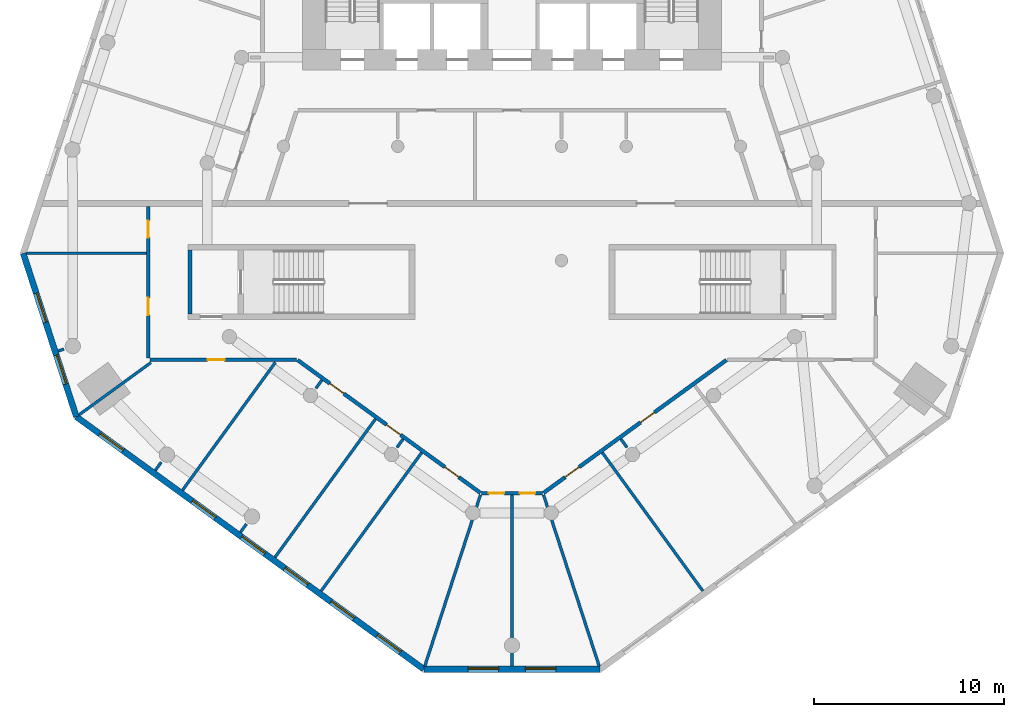
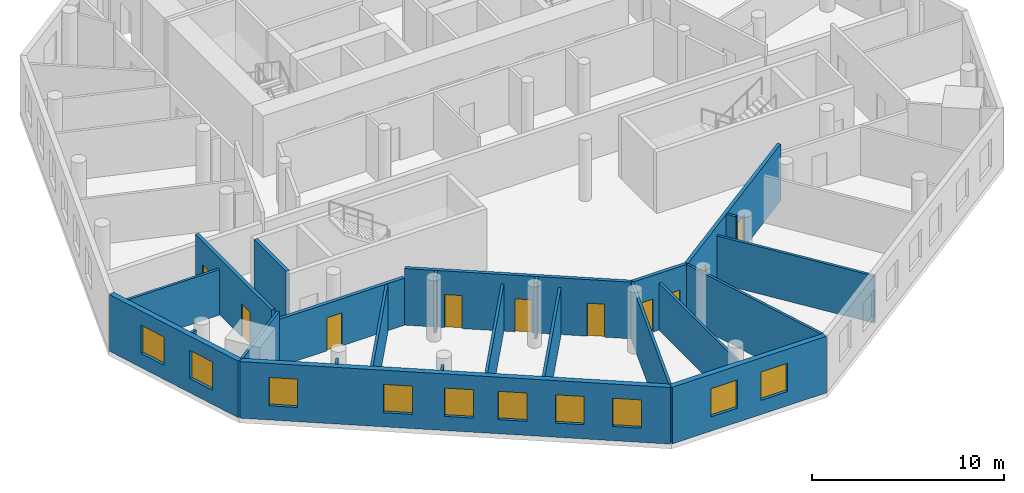
# One storey, part 2 of 9: 24 walls, 10 doors, 10 windows, 20 openings.
"""IFC4 building model written with IfcOpenShell, lengths in metres."""

from ifc_helpers import new_model, si_unit, direction, frame, frame_2d, origin, place, context, subcontext, project, spatial, rectangle, extrude, material, layer, layer_set, type_object, element, fill, save


model = new_model("IFC4")

# Units and contexts
model_context = context("Model", 3, precision=1e-05, world=origin(), true_north=direction((0.0, 1.0)))
body_context = subcontext(model_context, "Body", "Model", "MODEL_VIEW")
ifc_project = project(units=[si_unit("LENGTHUNIT", "METRE"), si_unit("AREAUNIT", "SQUARE_METRE"), si_unit("VOLUMEUNIT", "CUBIC_METRE"), si_unit("PLANEANGLEUNIT", "RADIAN"), si_unit("MASSUNIT", "GRAM", prefix="KILO")], contexts=[model_context])

# Site, building, storey
site_placement = place(None, origin())
site = spatial("IfcSite", under=ifc_project, at=site_placement, CompositionType="ELEMENT")
building_placement = place(site_placement, origin())
building = spatial("IfcBuilding", under=site, at=building_placement, Name="White Candle Pilgrim Tower", CompositionType="ELEMENT")
storey_placement = place(building_placement, frame((0.0, 0.0, 106.39990234375)))
storey = spatial("IfcBuildingStorey", under=building, at=storey_placement, Name="L23", CompositionType="ELEMENT", Elevation=106.39990234375)

# Wall
ifc_material_1 = material(Name="Concrete C60/75", Category="concrete")
ifc_layer_1 = layer(ifc_material_1, 0.199951171875)
ifc_layer_set_1 = layer_set([ifc_layer_1], Name="Core wall 200 mm Concrete C60/75")
wall_type_1 = type_object("IfcWallType", Name="Core wall 200 mm Concrete C60/75", PredefinedType="SHEAR", material=ifc_layer_set_1)
wall_1_placement = place(storey_placement, frame((53.10009765625, 58.199951171875, 0.0), z_axis=(0.0, 0.0, 1.0), x_axis=(0.0, 1.0, 0.0)))
element("IfcWall", 1, at=wall_1_placement, inside=storey, type_object=wall_type_1, Name="WL-L23-C03", PredefinedType="SHEAR", context=body_context, shape_type="SweptSolid", body=[
    extrude(rectangle(XDim=3.35009765625, YDim=0.199951171875, at=frame_2d((1.675048828125, 0.0))), origin(), (0.0, 0.0, 1.0), 3.900146484375),
])

# Wall, openings, doors
ifc_material_2 = material(Name="Gypsum board on steel studs", Category="steel")
ifc_layer_2 = layer(ifc_material_2, 0.199951171875)
ifc_layer_set_2 = layer_set([ifc_layer_2], Name="Corridor wall 200 mm EI 45")
wall_type_2 = type_object("IfcWallType", Name="Corridor wall 200 mm EI 45", PredefinedType="PARTITIONING", material=ifc_layer_set_2)
wall_2_placement = place(storey_placement, frame((81.2578125, 55.781005859375, 0.0), z_axis=(0.0, 0.0, 1.0), x_axis=(-0.809017945603, -0.587783943037, 0.0)))
wall_2 = element("IfcWall", 2, at=wall_2_placement, inside=storey, type_object=wall_type_2, Name="WL-L23-P008", PredefinedType="PARTITIONING", context=body_context, shape_type="SweptSolid", body=[
    extrude(rectangle(XDim=11.86962890625, YDim=0.199951171875, at=frame_2d((5.934814453125, 0.0))), origin(), (0.0, 0.0, 1.0), 3.60009765625),
])
opening_1_placement = place(wall_2_placement, frame((9.565185546875, 0.0, 0.0)))
opening_1 = element("IfcOpeningElement", 3, at=opening_1_placement, cuts=wall_2, Name="Opening T07-108", PredefinedType="OPENING", context=body_context, shape_type="SweptSolid", body=[
    extrude(rectangle(XDim=0.89990234375, YDim=2.10009765625, at=frame_2d((0.449951171875, 1.050048828125))), frame((0.0, 0.10986328125, 0.0), z_axis=(0.0, -1.0, 0.0), x_axis=(1.0, 0.0, 0.0)), (0.0, 0.0, 1.0), 0.219970703125),
])
opening_2_placement = place(wall_2_placement, frame((4.678466796875, 0.0, 0.0)))
opening_2 = element("IfcOpeningElement", 4, at=opening_2_placement, cuts=wall_2, Name="Opening T07-109", PredefinedType="OPENING", context=body_context, shape_type="SweptSolid", body=[
    extrude(rectangle(XDim=0.89990234375, YDim=2.10009765625, at=frame_2d((0.449951171875, 1.050048828125))), frame((0.0, 0.10986328125, 0.0), z_axis=(0.0, -1.0, 0.0), x_axis=(1.0, 0.0, 0.0)), (0.0, 0.0, 1.0), 0.219970703125),
])
ifc_material_3 = material(Name="Steel door leaf", Category="steel")
door_type_1 = type_object("IfcDoorType", Name="Fire door 900 x 2100 EI 30", OperationType="NOTDEFINED", PredefinedType="DOOR", material=ifc_material_3)
door_1_placement = place(opening_1_placement, origin())
door_1 = element("IfcDoor", 5, at=door_1_placement, inside=storey, type_object=door_type_1, Name="Door T07-108", OperationType="SINGLE_SWING_RIGHT", OverallHeight=2.10009765625, OverallWidth=0.89990234375, PredefinedType="DOOR", context=body_context, shape_type="SweptSolid", body=[
    extrude(rectangle(XDim=0.89990234375, YDim=2.10009765625, at=frame_2d((0.449951171875, 1.050048828125))), frame((0.0, 0.02490234375, 0.0), z_axis=(0.0, -1.0, 0.0), x_axis=(1.0, 0.0, 0.0)), (0.0, 0.0, 1.0), 0.050048828125),
])
fill(opening_1, door_1)
door_2_placement = place(opening_2_placement, origin())
door_2 = element("IfcDoor", 6, at=door_2_placement, inside=storey, type_object=door_type_1, Name="Door T07-109", OperationType="SINGLE_SWING_LEFT", OverallHeight=2.10009765625, OverallWidth=0.89990234375, PredefinedType="DOOR", context=body_context, shape_type="SweptSolid", body=[
    extrude(rectangle(XDim=0.89990234375, YDim=2.10009765625, at=frame_2d((0.449951171875, 1.050048828125))), frame((0.0, 0.02490234375, 0.0), z_axis=(0.0, -1.0, 0.0), x_axis=(1.0, 0.0, 0.0)), (0.0, 0.0, 1.0), 0.050048828125),
])
fill(opening_2, door_2)

wall_3_placement = place(storey_placement, frame((71.59619140625, 48.78515625, 0.0), z_axis=(0.0, 0.0, 1.0), x_axis=(-1.0, 0.0, 0.0)))
wall_3 = element("IfcWall", 7, at=wall_3_placement, inside=storey, type_object=wall_type_2, Name="WL-L23-P009", PredefinedType="PARTITIONING", context=body_context, shape_type="SweptSolid", body=[
    extrude(rectangle(XDim=3.1923828125, YDim=0.199951171875, at=frame_2d((1.59619140625, 0.0))), origin(), (0.0, 0.0, 1.0), 3.60009765625),
])
opening_3_placement = place(wall_3_placement, frame((2.0107421875, 0.0, 0.0)))
opening_3 = element("IfcOpeningElement", 8, at=opening_3_placement, cuts=wall_3, Name="Opening T07-106", PredefinedType="OPENING", context=body_context, shape_type="SweptSolid", body=[
    extrude(rectangle(XDim=0.800048828125, YDim=2.10009765625, at=frame_2d((0.39990234375, 1.050048828125))), frame((0.0, 0.10986328125, 0.0), z_axis=(0.0, -1.0, 0.0), x_axis=(1.0, 0.0, 0.0)), (0.0, 0.0, 1.0), 0.219970703125),
])
opening_4_placement = place(wall_3_placement, frame((0.3818359375, 0.0, 0.0)))
opening_4 = element("IfcOpeningElement", 9, at=opening_4_placement, cuts=wall_3, Name="Opening T07-107", PredefinedType="OPENING", context=body_context, shape_type="SweptSolid", body=[
    extrude(rectangle(XDim=0.800048828125, YDim=2.10009765625, at=frame_2d((0.39990234375, 1.050048828125))), frame((0.0, 0.10986328125, 0.0), z_axis=(0.0, -1.0, 0.0), x_axis=(1.0, 0.0, 0.0)), (0.0, 0.0, 1.0), 0.219970703125),
])
door_type_2 = type_object("IfcDoorType", Name="Fire door 800 x 2100 EI 30", OperationType="NOTDEFINED", PredefinedType="DOOR", material=ifc_material_3)
door_3_placement = place(opening_3_placement, origin())
door_3 = element("IfcDoor", 10, at=door_3_placement, inside=storey, type_object=door_type_2, Name="Door T07-106", OperationType="SINGLE_SWING_RIGHT", OverallHeight=2.10009765625, OverallWidth=0.800048828125, PredefinedType="DOOR", context=body_context, shape_type="SweptSolid", body=[
    extrude(rectangle(XDim=0.800048828125, YDim=2.10009765625, at=frame_2d((0.39990234375, 1.050048828125))), frame((0.0, 0.02490234375, 0.0), z_axis=(0.0, -1.0, 0.0), x_axis=(1.0, 0.0, 0.0)), (0.0, 0.0, 1.0), 0.050048828125),
])
fill(opening_3, door_3)
door_4_placement = place(opening_4_placement, origin())
door_4 = element("IfcDoor", 11, at=door_4_placement, inside=storey, type_object=door_type_2, Name="Door T07-107", OperationType="SINGLE_SWING_LEFT", OverallHeight=2.10009765625, OverallWidth=0.800048828125, PredefinedType="DOOR", context=body_context, shape_type="SweptSolid", body=[
    extrude(rectangle(XDim=0.800048828125, YDim=2.10009765625, at=frame_2d((0.39990234375, 1.050048828125))), frame((0.0, 0.02490234375, 0.0), z_axis=(0.0, -1.0, 0.0), x_axis=(1.0, 0.0, 0.0)), (0.0, 0.0, 1.0), 0.050048828125),
])
fill(opening_4, door_4)

wall_4_placement = place(storey_placement, frame((68.344970703125, 48.80419921875, 0.0), z_axis=(0.0, 0.0, 1.0), x_axis=(-0.809017945603, 0.587783943037, 0.0)))
wall_4 = element("IfcWall", 12, at=wall_4_placement, inside=storey, type_object=wall_type_2, Name="WL-L23-P010", PredefinedType="PARTITIONING", context=body_context, shape_type="SweptSolid", body=[
    extrude(rectangle(XDim=11.86962890625, YDim=0.199951171875, at=frame_2d((5.934814453125, 0.0))), origin(), (0.0, 0.0, 1.0), 3.60009765625),
])
opening_5_placement = place(wall_4_placement, frame((8.87158203125, 0.0, 0.0)))
opening_5 = element("IfcOpeningElement", 13, at=opening_5_placement, cuts=wall_4, Name="Opening T07-103", PredefinedType="OPENING", context=body_context, shape_type="SweptSolid", body=[
    extrude(rectangle(XDim=0.89990234375, YDim=2.10009765625, at=frame_2d((0.449951171875, 1.050048828125))), frame((0.0, 0.10986328125, 0.0), z_axis=(0.0, -1.0, 0.0), x_axis=(1.0, 0.0, 0.0)), (0.0, 0.0, 1.0), 0.219970703125),
])
opening_6_placement = place(wall_4_placement, frame((5.19091796875, 0.0, 0.0)))
opening_6 = element("IfcOpeningElement", 14, at=opening_6_placement, cuts=wall_4, Name="Opening T07-104", PredefinedType="OPENING", context=body_context, shape_type="SweptSolid", body=[
    extrude(rectangle(XDim=0.89990234375, YDim=2.10009765625, at=frame_2d((0.449951171875, 1.050048828125))), frame((0.0, 0.10986328125, 0.0), z_axis=(0.0, -1.0, 0.0), x_axis=(1.0, 0.0, 0.0)), (0.0, 0.0, 1.0), 0.219970703125),
])
opening_7_placement = place(wall_4_placement, frame((1.404296875, 0.0, 0.0)))
opening_7 = element("IfcOpeningElement", 15, at=opening_7_placement, cuts=wall_4, Name="Opening T07-105", PredefinedType="OPENING", context=body_context, shape_type="SweptSolid", body=[
    extrude(rectangle(XDim=0.89990234375, YDim=2.10009765625, at=frame_2d((0.449951171875, 1.050048828125))), frame((0.0, 0.10986328125, 0.0), z_axis=(0.0, -1.0, 0.0), x_axis=(1.0, 0.0, 0.0)), (0.0, 0.0, 1.0), 0.219970703125),
])
door_5_placement = place(opening_5_placement, origin())
door_5 = element("IfcDoor", 16, at=door_5_placement, inside=storey, type_object=door_type_1, Name="Door T07-103", OperationType="SINGLE_SWING_LEFT", OverallHeight=2.10009765625, OverallWidth=0.89990234375, PredefinedType="DOOR", context=body_context, shape_type="SweptSolid", body=[
    extrude(rectangle(XDim=0.89990234375, YDim=2.10009765625, at=frame_2d((0.449951171875, 1.050048828125))), frame((0.0, 0.02490234375, 0.0), z_axis=(0.0, -1.0, 0.0), x_axis=(1.0, 0.0, 0.0)), (0.0, 0.0, 1.0), 0.050048828125),
])
fill(opening_5, door_5)
door_6_placement = place(opening_6_placement, origin())
door_6 = element("IfcDoor", 17, at=door_6_placement, inside=storey, type_object=door_type_1, Name="Door T07-104", OperationType="SINGLE_SWING_RIGHT", OverallHeight=2.10009765625, OverallWidth=0.89990234375, PredefinedType="DOOR", context=body_context, shape_type="SweptSolid", body=[
    extrude(rectangle(XDim=0.89990234375, YDim=2.10009765625, at=frame_2d((0.449951171875, 1.050048828125))), frame((0.0, 0.02490234375, 0.0), z_axis=(0.0, -1.0, 0.0), x_axis=(1.0, 0.0, 0.0)), (0.0, 0.0, 1.0), 0.050048828125),
])
fill(opening_6, door_6)
door_7_placement = place(opening_7_placement, origin())
door_7 = element("IfcDoor", 18, at=door_7_placement, inside=storey, type_object=door_type_1, Name="Door T07-105", OperationType="SINGLE_SWING_LEFT", OverallHeight=2.10009765625, OverallWidth=0.89990234375, PredefinedType="DOOR", context=body_context, shape_type="SweptSolid", body=[
    extrude(rectangle(XDim=0.89990234375, YDim=2.10009765625, at=frame_2d((0.449951171875, 1.050048828125))), frame((0.0, 0.02490234375, 0.0), z_axis=(0.0, -1.0, 0.0), x_axis=(1.0, 0.0, 0.0)), (0.0, 0.0, 1.0), 0.050048828125),
])
fill(opening_7, door_7)

# Wall, opening, door
wall_5_placement = place(storey_placement, frame((58.68359375, 55.800048828125, 0.0), z_axis=(0.0, 0.0, 1.0), x_axis=(-1.0, 0.0, 0.0)))
wall_5 = element("IfcWall", 19, at=wall_5_placement, inside=storey, type_object=wall_type_2, Name="WL-L23-P011", PredefinedType="PARTITIONING", context=body_context, shape_type="SweptSolid", body=[
    extrude(rectangle(XDim=7.68359375, YDim=0.199951171875, at=frame_2d((3.841796875, 0.0))), origin(), (0.0, 0.0, 1.0), 3.0),
])
opening_8_placement = place(wall_5_placement, frame((3.767822265625, 0.0, 0.0)))
opening_8 = element("IfcOpeningElement", 20, at=opening_8_placement, cuts=wall_5, Name="Opening T07-102", PredefinedType="OPENING", context=body_context, shape_type="SweptSolid", body=[
    extrude(rectangle(XDim=0.89990234375, YDim=2.10009765625, at=frame_2d((0.449951171875, 1.050048828125))), frame((0.0, 0.10986328125, 0.0), z_axis=(0.0, -1.0, 0.0), x_axis=(1.0, 0.0, 0.0)), (0.0, 0.0, 1.0), 0.219970703125),
])
door_8_placement = place(opening_8_placement, origin())
door_8 = element("IfcDoor", 21, at=door_8_placement, inside=storey, type_object=door_type_1, Name="Door T07-102", OperationType="SINGLE_SWING_RIGHT", OverallHeight=2.10009765625, OverallWidth=0.89990234375, PredefinedType="DOOR", context=body_context, shape_type="SweptSolid", body=[
    extrude(rectangle(XDim=0.89990234375, YDim=2.10009765625, at=frame_2d((0.449951171875, 1.050048828125))), frame((0.0, 0.02490234375, 0.0), z_axis=(0.0, -1.0, 0.0), x_axis=(1.0, 0.0, 0.0)), (0.0, 0.0, 1.0), 0.050048828125),
])
fill(opening_8, door_8)

# Wall, openings, doors
wall_6_placement = place(storey_placement, frame((50.89990234375, 55.89990234375, 0.0), z_axis=(0.0, 0.0, 1.0), x_axis=(0.0, 1.0, 0.0)))
wall_6 = element("IfcWall", 22, at=wall_6_placement, inside=storey, type_object=wall_type_2, Name="WL-L23-P012", PredefinedType="PARTITIONING", context=body_context, shape_type="SweptSolid", body=[
    extrude(rectangle(XDim=7.9501953125, YDim=0.199951171875, at=frame_2d((3.97509765625, 0.0))), origin(), (0.0, 0.0, 1.0), 3.60009765625),
])
opening_9_placement = place(wall_6_placement, frame((2.243408203125, 0.0, 0.0)))
opening_9 = element("IfcOpeningElement", 23, at=opening_9_placement, cuts=wall_6, Name="Opening T07-101", PredefinedType="OPENING", context=body_context, shape_type="SweptSolid", body=[
    extrude(rectangle(XDim=0.89990234375, YDim=2.10009765625, at=frame_2d((0.449951171875, 1.050048828125))), frame((0.0, 0.10986328125, 0.0), z_axis=(0.0, -1.0, 0.0), x_axis=(1.0, 0.0, 0.0)), (0.0, 0.0, 1.0), 0.219970703125),
])
opening_10_placement = place(wall_6_placement, frame((6.305908203125, 0.0, 0.0)))
opening_10 = element("IfcOpeningElement", 24, at=opening_10_placement, cuts=wall_6, Name="Opening T07-116", PredefinedType="OPENING", context=body_context, shape_type="SweptSolid", body=[
    extrude(rectangle(XDim=0.89990234375, YDim=2.10009765625, at=frame_2d((0.449951171875, 1.050048828125))), frame((0.0, 0.10986328125, 0.0), z_axis=(0.0, -1.0, 0.0), x_axis=(1.0, 0.0, 0.0)), (0.0, 0.0, 1.0), 0.219970703125),
])
door_9_placement = place(opening_9_placement, origin())
door_9 = element("IfcDoor", 25, at=door_9_placement, inside=storey, type_object=door_type_1, Name="Door T07-101", OperationType="SINGLE_SWING_LEFT", OverallHeight=2.10009765625, OverallWidth=0.89990234375, PredefinedType="DOOR", context=body_context, shape_type="SweptSolid", body=[
    extrude(rectangle(XDim=0.89990234375, YDim=2.10009765625, at=frame_2d((0.449951171875, 1.050048828125))), frame((0.0, 0.02490234375, 0.0), z_axis=(0.0, -1.0, 0.0), x_axis=(1.0, 0.0, 0.0)), (0.0, 0.0, 1.0), 0.050048828125),
])
fill(opening_9, door_9)
door_10_placement = place(opening_10_placement, origin())
door_10 = element("IfcDoor", 26, at=door_10_placement, inside=storey, type_object=door_type_1, Name="Door T07-116", OperationType="SINGLE_SWING_RIGHT", OverallHeight=2.10009765625, OverallWidth=0.89990234375, PredefinedType="DOOR", context=body_context, shape_type="SweptSolid", body=[
    extrude(rectangle(XDim=0.89990234375, YDim=2.10009765625, at=frame_2d((0.449951171875, 1.050048828125))), frame((0.0, 0.02490234375, 0.0), z_axis=(0.0, -1.0, 0.0), x_axis=(1.0, 0.0, 0.0)), (0.0, 0.0, 1.0), 0.050048828125),
])
fill(opening_10, door_10)

# Wall, openings, windows
ifc_material_4 = material(Name="Precast concrete C40/50", Category="concrete")
ifc_layer_3 = layer(ifc_material_4, 0.320068359375)
ifc_layer_set_3 = layer_set([ifc_layer_3], Name="Facade wall EW1 precast concrete C40/50 pier wall with timber-lined reveals")
wall_type_3 = type_object("IfcWallType", Name="Facade wall EW1 precast concrete C40/50 pier wall with timber-lined reveals", PredefinedType="SOLIDWALL", material=ifc_layer_set_3)
wall_7_placement = place(storey_placement, frame((44.33447265625, 61.38671875, 0.0), z_axis=(0.0, 0.0, 1.0), x_axis=(0.309014528868, -0.951057317384, 0.0)))
wall_7 = element("IfcWall", 27, at=wall_7_placement, inside=storey, type_object=wall_type_3, Name="Facade wall L23 W chamfer", PredefinedType="SOLIDWALL", context=body_context, shape_type="SweptSolid", body=[
    extrude(rectangle(XDim=9.028076171875, YDim=0.320068359375, at=frame_2d((4.51416015625, 0.0))), origin(), (0.0, 0.0, 1.0), 3.60009765625),
])
opening_11_placement = place(wall_7_placement, frame((2.214111328125, 0.0, 0.89990234375)))
opening_11 = element("IfcOpeningElement", 28, at=opening_11_placement, cuts=wall_7, Name="Opening W2", PredefinedType="OPENING", context=body_context, shape_type="SweptSolid", body=[
    extrude(rectangle(XDim=1.60009765625, YDim=1.800048828125, at=frame_2d((0.800048828125, 0.89990234375))), frame((0.0, 0.169921875, 0.0), z_axis=(0.0, -1.0, 0.0), x_axis=(1.0, 0.0, 0.0)), (0.0, 0.0, 1.0), 0.340087890625),
])
opening_12_placement = place(wall_7_placement, frame((5.622314453125, 0.0, 0.89990234375)))
opening_12 = element("IfcOpeningElement", 29, at=opening_12_placement, cuts=wall_7, Name="Opening W2", PredefinedType="OPENING", context=body_context, shape_type="SweptSolid", body=[
    extrude(rectangle(XDim=1.60009765625, YDim=1.800048828125, at=frame_2d((0.800048828125, 0.89990234375))), frame((0.0, 0.169921875, 0.0), z_axis=(0.0, -1.0, 0.0), x_axis=(1.0, 0.0, 0.0)), (0.0, 0.0, 1.0), 0.340087890625),
])
ifc_material_5 = material(Name="Timber frame with triple glazing", Category="wood")
window_type_1 = type_object("IfcWindowType", Name="Window W2 1600x1800 timber frame triple glazing", PartitioningType="SINGLE_PANEL", PredefinedType="WINDOW", material=ifc_material_5)
window_1_placement = place(opening_11_placement, origin())
window_1 = element("IfcWindow", 30, at=window_1_placement, inside=storey, type_object=window_type_1, Name="Window W2 L23 W chamfer 1", OverallHeight=1.800048828125, OverallWidth=1.60009765625, PartitioningType="SINGLE_PANEL", PredefinedType="WINDOW", context=body_context, shape_type="SweptSolid", body=[
    extrude(rectangle(XDim=1.60009765625, YDim=1.800048828125, at=frame_2d((0.800048828125, 0.89990234375))), frame((0.0, 0.070068359375, 0.0), z_axis=(0.0, -1.0, 0.0), x_axis=(1.0, 0.0, 0.0)), (0.0, 0.0, 1.0), 0.06005859375),
])
fill(opening_11, window_1)
window_2_placement = place(opening_12_placement, origin())
window_2 = element("IfcWindow", 31, at=window_2_placement, inside=storey, type_object=window_type_1, Name="Window W2 L23 W chamfer 2", OverallHeight=1.800048828125, OverallWidth=1.60009765625, PartitioningType="SINGLE_PANEL", PredefinedType="WINDOW", context=body_context, shape_type="SweptSolid", body=[
    extrude(rectangle(XDim=1.60009765625, YDim=1.800048828125, at=frame_2d((0.800048828125, 0.89990234375))), frame((0.0, 0.070068359375, 0.0), z_axis=(0.0, -1.0, 0.0), x_axis=(1.0, 0.0, 0.0)), (0.0, 0.0, 1.0), 0.06005859375),
])
fill(opening_12, window_2)

wall_8_placement = place(storey_placement, frame((47.124267578125, 52.800537109375, 0.0), z_axis=(0.0, 0.0, 1.0), x_axis=(0.809019687389, -0.587781545659, 0.0)))
wall_8 = element("IfcWall", 32, at=wall_8_placement, inside=storey, type_object=wall_type_3, Name="Facade wall L23 SW", PredefinedType="SOLIDWALL", context=body_context, shape_type="SweptSolid", body=[
    extrude(rectangle(XDim=22.551513671875, YDim=0.320068359375, at=frame_2d((11.27587890625, 0.0))), origin(), (0.0, 0.0, 1.0), 3.60009765625),
])
opening_13_placement = place(wall_8_placement, frame((1.52587890625, 0.0, 0.89990234375)))
opening_13 = element("IfcOpeningElement", 33, at=opening_13_placement, cuts=wall_8, Name="Opening W1", PredefinedType="OPENING", context=body_context, shape_type="SweptSolid", body=[
    extrude(rectangle(XDim=1.5, YDim=1.800048828125, at=frame_2d((0.75, 0.89990234375))), frame((0.0, 0.169921875, 0.0), z_axis=(0.0, -1.0, 0.0), x_axis=(1.0, 0.0, 0.0)), (0.0, 0.0, 1.0), 0.340087890625),
])
opening_14_placement = place(wall_8_placement, frame((7.52587890625, 0.0, 0.89990234375)))
opening_14 = element("IfcOpeningElement", 34, at=opening_14_placement, cuts=wall_8, Name="Opening W1", PredefinedType="OPENING", context=body_context, shape_type="SweptSolid", body=[
    extrude(rectangle(XDim=1.5, YDim=1.800048828125, at=frame_2d((0.75, 0.89990234375))), frame((0.0, 0.169921875, 0.0), z_axis=(0.0, -1.0, 0.0), x_axis=(1.0, 0.0, 0.0)), (0.0, 0.0, 1.0), 0.340087890625),
])
opening_15_placement = place(wall_8_placement, frame((10.725830078125, 0.0, 0.89990234375)))
opening_15 = element("IfcOpeningElement", 35, at=opening_15_placement, cuts=wall_8, Name="Opening W1", PredefinedType="OPENING", context=body_context, shape_type="SweptSolid", body=[
    extrude(rectangle(XDim=1.5, YDim=1.800048828125, at=frame_2d((0.75, 0.89990234375))), frame((0.0, 0.169921875, 0.0), z_axis=(0.0, -1.0, 0.0), x_axis=(1.0, 0.0, 0.0)), (0.0, 0.0, 1.0), 0.340087890625),
])
opening_16_placement = place(wall_8_placement, frame((13.52587890625, 0.0, 0.89990234375)))
opening_16 = element("IfcOpeningElement", 36, at=opening_16_placement, cuts=wall_8, Name="Opening W1", PredefinedType="OPENING", context=body_context, shape_type="SweptSolid", body=[
    extrude(rectangle(XDim=1.5, YDim=1.800048828125, at=frame_2d((0.75, 0.89990234375))), frame((0.0, 0.169921875, 0.0), z_axis=(0.0, -1.0, 0.0), x_axis=(1.0, 0.0, 0.0)), (0.0, 0.0, 1.0), 0.340087890625),
])
opening_17_placement = place(wall_8_placement, frame((16.52587890625, 0.0, 0.89990234375)))
opening_17 = element("IfcOpeningElement", 37, at=opening_17_placement, cuts=wall_8, Name="Opening W1", PredefinedType="OPENING", context=body_context, shape_type="SweptSolid", body=[
    extrude(rectangle(XDim=1.5, YDim=1.800048828125, at=frame_2d((0.75, 0.89990234375))), frame((0.0, 0.169921875, 0.0), z_axis=(0.0, -1.0, 0.0), x_axis=(1.0, 0.0, 0.0)), (0.0, 0.0, 1.0), 0.340087890625),
])
opening_18_placement = place(wall_8_placement, frame((19.52587890625, 0.0, 0.89990234375)))
opening_18 = element("IfcOpeningElement", 38, at=opening_18_placement, cuts=wall_8, Name="Opening W1", PredefinedType="OPENING", context=body_context, shape_type="SweptSolid", body=[
    extrude(rectangle(XDim=1.5, YDim=1.800048828125, at=frame_2d((0.75, 0.89990234375))), frame((0.0, 0.169921875, 0.0), z_axis=(0.0, -1.0, 0.0), x_axis=(1.0, 0.0, 0.0)), (0.0, 0.0, 1.0), 0.340087890625),
])
window_type_2 = type_object("IfcWindowType", Name="Window W1 1500x1800 timber frame triple glazing", PartitioningType="SINGLE_PANEL", PredefinedType="WINDOW", material=ifc_material_5)
window_3_placement = place(opening_13_placement, origin())
window_3 = element("IfcWindow", 39, at=window_3_placement, inside=storey, type_object=window_type_2, Name="Window W1 L23 SW 1", OverallHeight=1.800048828125, OverallWidth=1.5, PartitioningType="SINGLE_PANEL", PredefinedType="WINDOW", context=body_context, shape_type="SweptSolid", body=[
    extrude(rectangle(XDim=1.5, YDim=1.800048828125, at=frame_2d((0.75, 0.89990234375))), frame((0.0, 0.070068359375, 0.0), z_axis=(0.0, -1.0, 0.0), x_axis=(1.0, 0.0, 0.0)), (0.0, 0.0, 1.0), 0.06005859375),
])
fill(opening_13, window_3)
window_4_placement = place(opening_14_placement, origin())
window_4 = element("IfcWindow", 40, at=window_4_placement, inside=storey, type_object=window_type_2, Name="Window W1 L23 SW 3", OverallHeight=1.800048828125, OverallWidth=1.5, PartitioningType="SINGLE_PANEL", PredefinedType="WINDOW", context=body_context, shape_type="SweptSolid", body=[
    extrude(rectangle(XDim=1.5, YDim=1.800048828125, at=frame_2d((0.75, 0.89990234375))), frame((0.0, 0.070068359375, 0.0), z_axis=(0.0, -1.0, 0.0), x_axis=(1.0, 0.0, 0.0)), (0.0, 0.0, 1.0), 0.06005859375),
])
fill(opening_14, window_4)
window_5_placement = place(opening_15_placement, origin())
window_5 = element("IfcWindow", 41, at=window_5_placement, inside=storey, type_object=window_type_2, Name="Window W1 L23 SW 4", OverallHeight=1.800048828125, OverallWidth=1.5, PartitioningType="SINGLE_PANEL", PredefinedType="WINDOW", context=body_context, shape_type="SweptSolid", body=[
    extrude(rectangle(XDim=1.5, YDim=1.800048828125, at=frame_2d((0.75, 0.89990234375))), frame((0.0, 0.070068359375, 0.0), z_axis=(0.0, -1.0, 0.0), x_axis=(1.0, 0.0, 0.0)), (0.0, 0.0, 1.0), 0.06005859375),
])
fill(opening_15, window_5)
window_6_placement = place(opening_16_placement, origin())
window_6 = element("IfcWindow", 42, at=window_6_placement, inside=storey, type_object=window_type_2, Name="Window W1 L23 SW 5", OverallHeight=1.800048828125, OverallWidth=1.5, PartitioningType="SINGLE_PANEL", PredefinedType="WINDOW", context=body_context, shape_type="SweptSolid", body=[
    extrude(rectangle(XDim=1.5, YDim=1.800048828125, at=frame_2d((0.75, 0.89990234375))), frame((0.0, 0.070068359375, 0.0), z_axis=(0.0, -1.0, 0.0), x_axis=(1.0, 0.0, 0.0)), (0.0, 0.0, 1.0), 0.06005859375),
])
fill(opening_16, window_6)
window_7_placement = place(opening_17_placement, origin())
window_7 = element("IfcWindow", 43, at=window_7_placement, inside=storey, type_object=window_type_2, Name="Window W1 L23 SW 6", OverallHeight=1.800048828125, OverallWidth=1.5, PartitioningType="SINGLE_PANEL", PredefinedType="WINDOW", context=body_context, shape_type="SweptSolid", body=[
    extrude(rectangle(XDim=1.5, YDim=1.800048828125, at=frame_2d((0.75, 0.89990234375))), frame((0.0, 0.070068359375, 0.0), z_axis=(0.0, -1.0, 0.0), x_axis=(1.0, 0.0, 0.0)), (0.0, 0.0, 1.0), 0.06005859375),
])
fill(opening_17, window_7)
window_8_placement = place(opening_18_placement, origin())
window_8 = element("IfcWindow", 44, at=window_8_placement, inside=storey, type_object=window_type_2, Name="Window W1 L23 SW 7", OverallHeight=1.800048828125, OverallWidth=1.5, PartitioningType="SINGLE_PANEL", PredefinedType="WINDOW", context=body_context, shape_type="SweptSolid", body=[
    extrude(rectangle(XDim=1.5, YDim=1.800048828125, at=frame_2d((0.75, 0.89990234375))), frame((0.0, 0.070068359375, 0.0), z_axis=(0.0, -1.0, 0.0), x_axis=(1.0, 0.0, 0.0)), (0.0, 0.0, 1.0), 0.06005859375),
])
fill(opening_18, window_8)

wall_9_placement = place(storey_placement, frame((65.368896484375, 39.545166015625, 0.0), z_axis=(0.0, 0.0, 1.0), x_axis=(1.0, 0.0, 0.0)))
wall_9 = element("IfcWall", 45, at=wall_9_placement, inside=storey, type_object=wall_type_3, Name="Facade wall L23 S chamfer", PredefinedType="SOLIDWALL", context=body_context, shape_type="SweptSolid", body=[
    extrude(rectangle(XDim=9.26220703125, YDim=0.320068359375, at=frame_2d((4.631103515625, 0.0))), origin(), (0.0, 0.0, 1.0), 3.60009765625),
])
opening_19_placement = place(wall_9_placement, frame((2.3310546875, 0.0, 0.89990234375)))
opening_19 = element("IfcOpeningElement", 46, at=opening_19_placement, cuts=wall_9, Name="Opening W2", PredefinedType="OPENING", context=body_context, shape_type="SweptSolid", body=[
    extrude(rectangle(XDim=1.60009765625, YDim=1.800048828125, at=frame_2d((0.800048828125, 0.89990234375))), frame((0.0, 0.169921875, 0.0), z_axis=(0.0, -1.0, 0.0), x_axis=(1.0, 0.0, 0.0)), (0.0, 0.0, 1.0), 0.340087890625),
])
opening_20_placement = place(wall_9_placement, frame((5.3310546875, 0.0, 0.89990234375)))
opening_20 = element("IfcOpeningElement", 47, at=opening_20_placement, cuts=wall_9, Name="Opening W2", PredefinedType="OPENING", context=body_context, shape_type="SweptSolid", body=[
    extrude(rectangle(XDim=1.60009765625, YDim=1.800048828125, at=frame_2d((0.800048828125, 0.89990234375))), frame((0.0, 0.169921875, 0.0), z_axis=(0.0, -1.0, 0.0), x_axis=(1.0, 0.0, 0.0)), (0.0, 0.0, 1.0), 0.340087890625),
])
window_9_placement = place(opening_19_placement, origin())
window_9 = element("IfcWindow", 48, at=window_9_placement, inside=storey, type_object=window_type_1, Name="Window W2 L23 S chamfer 1", OverallHeight=1.800048828125, OverallWidth=1.60009765625, PartitioningType="SINGLE_PANEL", PredefinedType="WINDOW", context=body_context, shape_type="SweptSolid", body=[
    extrude(rectangle(XDim=1.60009765625, YDim=1.800048828125, at=frame_2d((0.800048828125, 0.89990234375))), frame((0.0, 0.070068359375, 0.0), z_axis=(0.0, -1.0, 0.0), x_axis=(1.0, 0.0, 0.0)), (0.0, 0.0, 1.0), 0.06005859375),
])
fill(opening_19, window_9)
window_10_placement = place(opening_20_placement, origin())
window_10 = element("IfcWindow", 49, at=window_10_placement, inside=storey, type_object=window_type_1, Name="Window W2 L23 S chamfer 2", OverallHeight=1.800048828125, OverallWidth=1.60009765625, PartitioningType="SINGLE_PANEL", PredefinedType="WINDOW", context=body_context, shape_type="SweptSolid", body=[
    extrude(rectangle(XDim=1.60009765625, YDim=1.800048828125, at=frame_2d((0.800048828125, 0.89990234375))), frame((0.0, 0.070068359375, 0.0), z_axis=(0.0, -1.0, 0.0), x_axis=(1.0, 0.0, 0.0)), (0.0, 0.0, 1.0), 0.06005859375),
])
fill(opening_20, window_10)

# Walls
ifc_layer_4 = layer(ifc_material_2, 0.14990234375)
ifc_layer_set_4 = layer_set([ifc_layer_4], Name="Partition 150 mm EI 60")
wall_type_4 = type_object("IfcWallType", Name="Partition 150 mm EI 60", PredefinedType="PARTITIONING", material=ifc_layer_set_4)
wall_10_placement = place(storey_placement, frame((44.502685546875, 61.38671875, 0.0), z_axis=(0.0, 0.0, 1.0), x_axis=(1.0, 0.0, 0.0)))
element("IfcWall", 50, at=wall_10_placement, inside=storey, type_object=wall_type_4, Name="WL-L23-P017", PredefinedType="PARTITIONING", context=body_context, shape_type="SweptSolid", body=[
    extrude(rectangle(XDim=6.29736328125, YDim=0.14990234375, at=frame_2d((3.148681640625, 0.0))), origin(), (0.0, 0.0, 1.0), 2.900146484375),
])
wall_11_placement = place(storey_placement, frame((47.260498046875, 52.8994140625, 0.0), z_axis=(0.0, 0.0, 1.0), x_axis=(0.808989118663, 0.587823618005, 0.0)))
element("IfcWall", 51, at=wall_11_placement, inside=storey, type_object=wall_type_4, Name="WL-L23-P018", PredefinedType="PARTITIONING", context=body_context, shape_type="SweptSolid", body=[
    extrude(rectangle(XDim=4.671630859375, YDim=0.14990234375, at=frame_2d((2.3359375, 0.0))), origin(), (0.0, 0.0, 1.0), 3.60009765625),
])
for number, where, z_axis, x_axis, name in (
    (52, (65.4208984375, 39.705078125, 0.0), (0.0, 0.0, 1.0), (0.309027729723, 0.951053028102, 0.0), "WL-L23-P019"),
    (53, (74.5791015625, 39.705078125, 0.0), (0.0, 0.0, 1.0), (-0.309027729723, 0.951053028102, 0.0), "WL-L23-P020"),
):
    element("IfcWall", number, at=place(storey_placement, frame(where, z_axis=z_axis, x_axis=x_axis)), inside=storey, type_object=wall_type_4, Name=name, PredefinedType="PARTITIONING", context=body_context, shape_type="SweptSolid", body=[
        extrude(rectangle(XDim=9.462158203125, YDim=0.14990234375, at=frame_2d((4.73095703125, 0.0))), origin(), (0.0, 0.0, 1.0), 3.60009765625),
    ])
wall_12_placement = place(storey_placement, frame((52.7001953125, 48.947265625, 0.0), z_axis=(0.0, 0.0, 1.0), x_axis=(0.58777249317, 0.809026264266, 0.0)))
element("IfcWall", 54, at=wall_12_placement, inside=storey, type_object=wall_type_4, Name="WL-L23-P028", PredefinedType="PARTITIONING", context=body_context, shape_type="SweptSolid", body=[
    extrude(rectangle(XDim=8.29248046875, YDim=0.14990234375, at=frame_2d((4.146240234375, 0.0))), origin(), (0.0, 0.0, 1.0), 3.0),
])
for number, where, z_axis, x_axis, name in (
    (55, (57.55419921875, 45.420654296875, 0.0), (0.0, 0.0, 1.0), (0.587790127827, 0.809013452069, 0.0), "WL-L23-P029"),
    (56, (59.981201171875, 43.6572265625, 0.0), (0.0, 0.0, 1.0), (0.587790127827, 0.809013452069, 0.0), "WL-L23-P030"),
    (57, (70.0, 39.705078125, 0.0), (0.0, 0.0, 1.0), (0.0, 1.0, 0.0), "WL-L23-P031"),
    (58, (80.018798828125, 43.6572265625, 0.0), (0.0, 0.0, 1.0), (-0.587790127827, 0.809013452069, 0.0), "WL-L23-P032"),
):
    element("IfcWall", number, at=place(storey_placement, frame(where, z_axis=z_axis, x_axis=x_axis)), inside=storey, type_object=wall_type_4, Name=name, PredefinedType="PARTITIONING", context=body_context, shape_type="SweptSolid", body=[
        extrude(rectangle(XDim=8.97998046875, YDim=0.14990234375, at=frame_2d((4.489990234375, 0.0))), origin(), (0.0, 0.0, 1.0), 3.0),
    ])
wall_13_placement = place(storey_placement, frame((46.47509765625, 56.35498046875, 0.0), z_axis=(0.0, 0.0, 1.0), x_axis=(-0.950866223674, -0.309602042428, 0.0)))
element("IfcWall", 59, at=wall_13_placement, inside=storey, type_object=wall_type_4, Name="WL-L23-P041", PredefinedType="PARTITIONING", context=body_context, shape_type="SweptSolid", body=[
    extrude(rectangle(XDim=0.321044921875, YDim=0.14990234375, at=frame_2d((0.16064453125, 0.0))), origin(), (0.0, 0.0, 1.0), 3.60009765625),
])
wall_14_placement = place(storey_placement, frame((51.583984375, 50.419677734375, 0.0), z_axis=(0.0, 0.0, 1.0), x_axis=(-0.587737494258, -0.809051690465, 0.0)))
element("IfcWall", 60, at=wall_14_placement, inside=storey, type_object=wall_type_4, Name="WL-L23-P042", PredefinedType="PARTITIONING", context=body_context, shape_type="SweptSolid", body=[
    extrude(rectangle(XDim=0.534912109375, YDim=0.14990234375, at=frame_2d((0.267578125, 0.0))), origin(), (0.0, 0.0, 1.0), 3.60009765625),
])
wall_15_placement = place(storey_placement, frame((56.053955078125, 47.169677734375, 0.0), z_axis=(0.0, 0.0, 1.0), x_axis=(-0.587844986656, -0.80897359145, 0.0)))
element("IfcWall", 61, at=wall_15_placement, inside=storey, type_object=wall_type_4, Name="WL-L23-P043", PredefinedType="PARTITIONING", context=body_context, shape_type="SweptSolid", body=[
    extrude(rectangle(XDim=0.533203125, YDim=0.14990234375, at=frame_2d((0.2666015625, 0.0))), origin(), (0.0, 0.0, 1.0), 3.60009765625),
])
wall_16_placement = place(storey_placement, frame((59.70068359375, 54.29052734375, 0.0), z_axis=(0.0, 0.0, 1.0), x_axis=(0.587904005015, 0.808930702154, 0.0)))
element("IfcWall", 62, at=wall_16_placement, inside=storey, type_object=wall_type_4, Name="WL-L23-P046", PredefinedType="PARTITIONING", context=body_context, shape_type="SweptSolid", body=[
    extrude(rectangle(XDim=0.542236328125, YDim=0.14990234375, at=frame_2d((0.27099609375, 0.0))), origin(), (0.0, 0.0, 1.0), 3.60009765625),
])
for number, where, z_axis, x_axis, name in (
    (63, (63.960693359375, 51.190673828125, 0.0), (0.0, 0.0, 1.0), (0.588065412804, 0.808813371714, 0.0), "WL-L23-P047"),
    (64, (76.039306640625, 51.190673828125, 0.0), (0.0, 0.0, 1.0), (-0.588065412804, 0.808813371714, 0.0), "WL-L23-P048"),
):
    element("IfcWall", number, at=place(storey_placement, frame(where, z_axis=z_axis, x_axis=x_axis)), inside=storey, type_object=wall_type_4, Name=name, PredefinedType="PARTITIONING", context=body_context, shape_type="SweptSolid", body=[
        extrude(rectangle(XDim=0.54638671875, YDim=0.14990234375, at=frame_2d((0.273193359375, 0.0))), origin(), (0.0, 0.0, 1.0), 3.60009765625),
    ])

save(model, "model.ifc")
